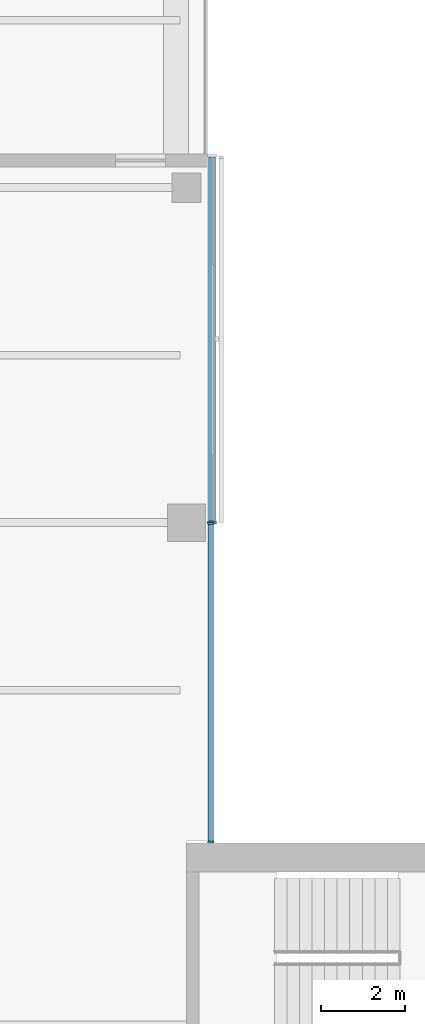
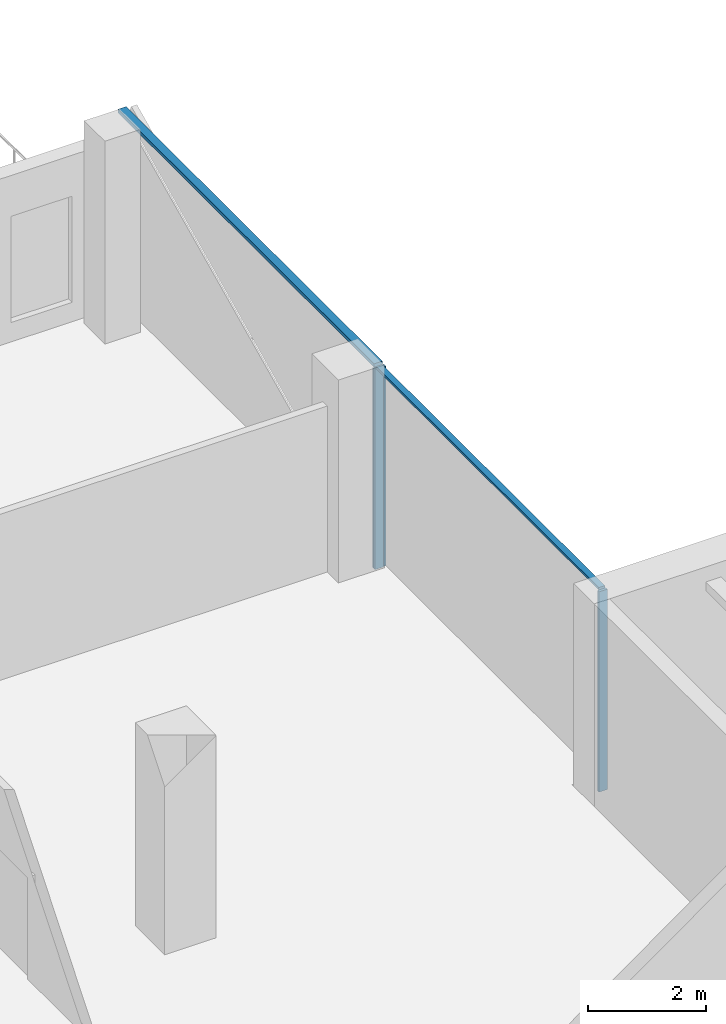
# One storey, part 11 of 24: 5 members, 2 elements without a shape of their own.
"""IFC4 building model written with IfcOpenShell, lengths in metres."""

from ifc_helpers import new_model, si_unit, direction, frame, origin, origin_2d, place, context, subcontext, project, spatial, rectangle, extrude, material, material_profile, profile_set, type_object, element, aggregate, save


model = new_model("IFC4")

# Units and contexts
model_context = context("Model", 3, precision=1e-05, world=origin(), true_north=direction((0.0, 1.0)))
body_context = subcontext(model_context, "Body", "Model", "MODEL_VIEW")
ifc_project = project(units=[si_unit("LENGTHUNIT", "METRE"), si_unit("AREAUNIT", "SQUARE_METRE"), si_unit("VOLUMEUNIT", "CUBIC_METRE"), si_unit("PLANEANGLEUNIT", "RADIAN"), si_unit("MASSUNIT", "GRAM", prefix="KILO")], contexts=[model_context])

# Site, building, storey
site_placement = place(None, origin())
site = spatial("IfcSite", under=ifc_project, at=site_placement, CompositionType="ELEMENT")
building_placement = place(site_placement, origin())
building = spatial("IfcBuilding", under=site, at=building_placement, Name="Crosswind Convention Tower", CompositionType="ELEMENT")
storey_placement = place(building_placement, frame((0.0, 0.0, 112.699951171875)))
storey = spatial("IfcBuildingStorey", under=building, at=storey_placement, Name="L22", CompositionType="ELEMENT", Elevation=112.699951171875)

# Curtain wall, members
ifc_material_1 = material(Name="Aluminium unitised curtain wall", Category="aluminium")
curtain_wall_type_1 = type_object("IfcCurtainWallType", Name="CORE END SLOT WALL 160", PredefinedType="USERDEFINED", material=ifc_material_1)
curtain_wall_1_placement = place(storey_placement, origin())
curtain_wall_1 = element("IfcCurtainWall", 1, at=curtain_wall_1_placement, inside=storey, type_object=curtain_wall_type_1, Name="CW6 L22 N-E.1-1 slot", ObjectType="UNITISED", PredefinedType="USERDEFINED")
ifc_material_2 = material(Name="Aluminium mullion", Category="aluminium")
ifc_material_profile_1 = material_profile(ifc_material_2, rectangle(XDim=0.159912109375, YDim=0.050048828125, at=origin_2d()), Name="AL 160X50")
ifc_profile_set_1 = profile_set([ifc_material_profile_1], Name="Aluminium mullion")
member_type_1 = type_object("IfcMemberType", Name="MULLION 50X160", PredefinedType="MULLION", material=ifc_profile_set_1)
member_1_placement = place(storey_placement, frame((137.580078125, 112.375, -0.300048828125), z_axis=(0.0, 0.0, 1.0), x_axis=(1.0, 0.0, 0.0)))
member_1 = element("IfcMember", 2, at=member_1_placement, type_object=member_type_1, Name="CW6 mullion 1", PredefinedType="MULLION", context=body_context, shape_type="SweptSolid", body=[
    extrude(rectangle(XDim=0.159912109375, YDim=0.050048828125, at=origin_2d()), origin(), (0.0, 0.0, 1.0), 4.150146484375),
])
member_2_placement = place(storey_placement, frame((137.580078125, 119.97509765625, -0.300048828125), z_axis=(0.0, 0.0, 1.0), x_axis=(1.0, 0.0, 0.0)))
member_2 = element("IfcMember", 3, at=member_2_placement, type_object=member_type_1, Name="CW6 mullion 2", PredefinedType="MULLION", context=body_context, shape_type="SweptSolid", body=[
    extrude(rectangle(XDim=0.159912109375, YDim=0.050048828125, at=origin_2d()), origin(), (0.0, 0.0, 1.0), 4.150146484375),
])

# Curtain wall, member
curtain_wall_type_2 = type_object("IfcCurtainWallType", Name="OFFICE UNITISED WALL 220", PredefinedType="USERDEFINED", material=ifc_material_1)
curtain_wall_2_placement = place(storey_placement, origin())
curtain_wall_2 = element("IfcCurtainWall", 4, at=curtain_wall_2_placement, inside=storey, type_object=curtain_wall_type_2, Name="CW3 L22 N-E 1", ObjectType="UNITISED", PredefinedType="USERDEFINED")
ifc_material_profile_2 = material_profile(ifc_material_2, rectangle(XDim=0.219970703125, YDim=0.070068359375, at=origin_2d()), Name="AL 220X70")
ifc_profile_set_2 = profile_set([ifc_material_profile_2], Name="Aluminium mullion")
member_type_2 = type_object("IfcMemberType", Name="MULLION 70X220", PredefinedType="MULLION", material=ifc_profile_set_2)
member_3_placement = place(storey_placement, frame((137.610107421875, 120.0, -0.300048828125), z_axis=(0.0, 0.0, 1.0), x_axis=(1.0, 0.0, 0.0)))
member_3 = element("IfcMember", 5, at=member_3_placement, type_object=member_type_2, Name="CW3 mullion 1", PredefinedType="MULLION", context=body_context, shape_type="SweptSolid", body=[
    extrude(rectangle(XDim=0.219970703125, YDim=0.070068359375, at=origin_2d()), origin(), (0.0, 0.0, 1.0), 4.130126953125),
])

# Member
ifc_material_3 = material(Name="Aluminium transom", Category="aluminium")
ifc_material_profile_3 = material_profile(ifc_material_3, rectangle(XDim=0.1201171875, YDim=0.050048828125, at=origin_2d()), Name="AL 120X50")
ifc_profile_set_3 = profile_set([ifc_material_profile_3], Name="Aluminium transom")
member_type_3 = type_object("IfcMemberType", Name="TRANSOM 50X120", PredefinedType="USERDEFINED", material=ifc_profile_set_3)
member_4_placement = place(storey_placement, frame((137.580078125, 112.39990234375, 3.875), z_axis=(0.0, 1.0, 0.0), x_axis=(-1.0, 0.0, 0.0)))
member_4 = element("IfcMember", 6, at=member_4_placement, type_object=member_type_3, Name="CW6 transom", ObjectType="TRANSOM", PredefinedType="USERDEFINED", context=body_context, shape_type="SweptSolid", body=[
    extrude(rectangle(XDim=0.1201171875, YDim=0.050048828125, at=origin_2d()), origin(), (0.0, 0.0, 1.0), 7.550048828125),
])

aggregate(curtain_wall_1, [member_1, member_2, member_4])

ifc_material_profile_4 = material_profile(ifc_material_3, rectangle(XDim=0.159912109375, YDim=0.070068359375, at=origin_2d()), Name="AL 160X70")
ifc_profile_set_4 = profile_set([ifc_material_profile_4], Name="Aluminium transom")
member_type_4 = type_object("IfcMemberType", Name="TRANSOM 70X160", PredefinedType="USERDEFINED", material=ifc_profile_set_4)
member_5_placement = place(storey_placement, frame((137.610107421875, 120.034912109375, 3.864990234375), z_axis=(0.0, 1.0, 0.0), x_axis=(-1.0, 0.0, 0.0)))
member_5 = element("IfcMember", 7, at=member_5_placement, type_object=member_type_4, Name="CW3 transom", ObjectType="TRANSOM", PredefinedType="USERDEFINED", context=body_context, shape_type="SweptSolid", body=[
    extrude(rectangle(XDim=0.159912109375, YDim=0.070068359375, at=origin_2d()), origin(), (0.0, 0.0, 1.0), 8.695068359375),
])

aggregate(curtain_wall_2, [member_3, member_5])

save(model, "model.ifc")
